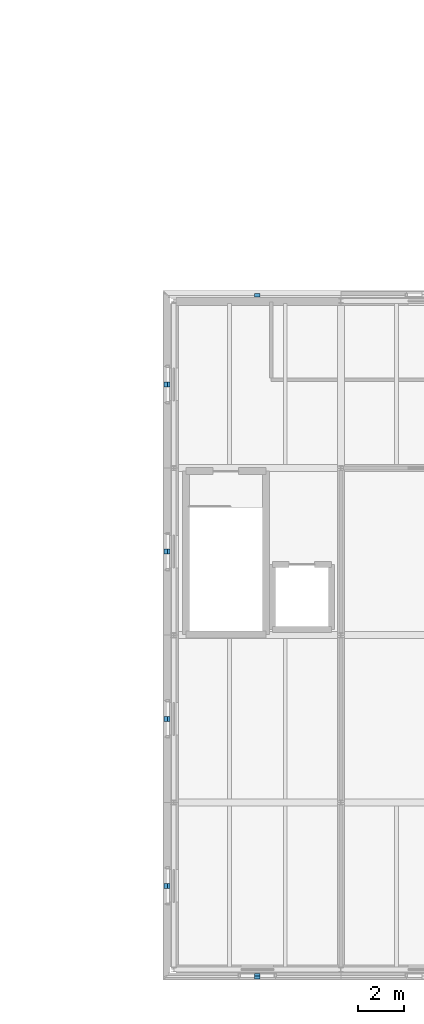
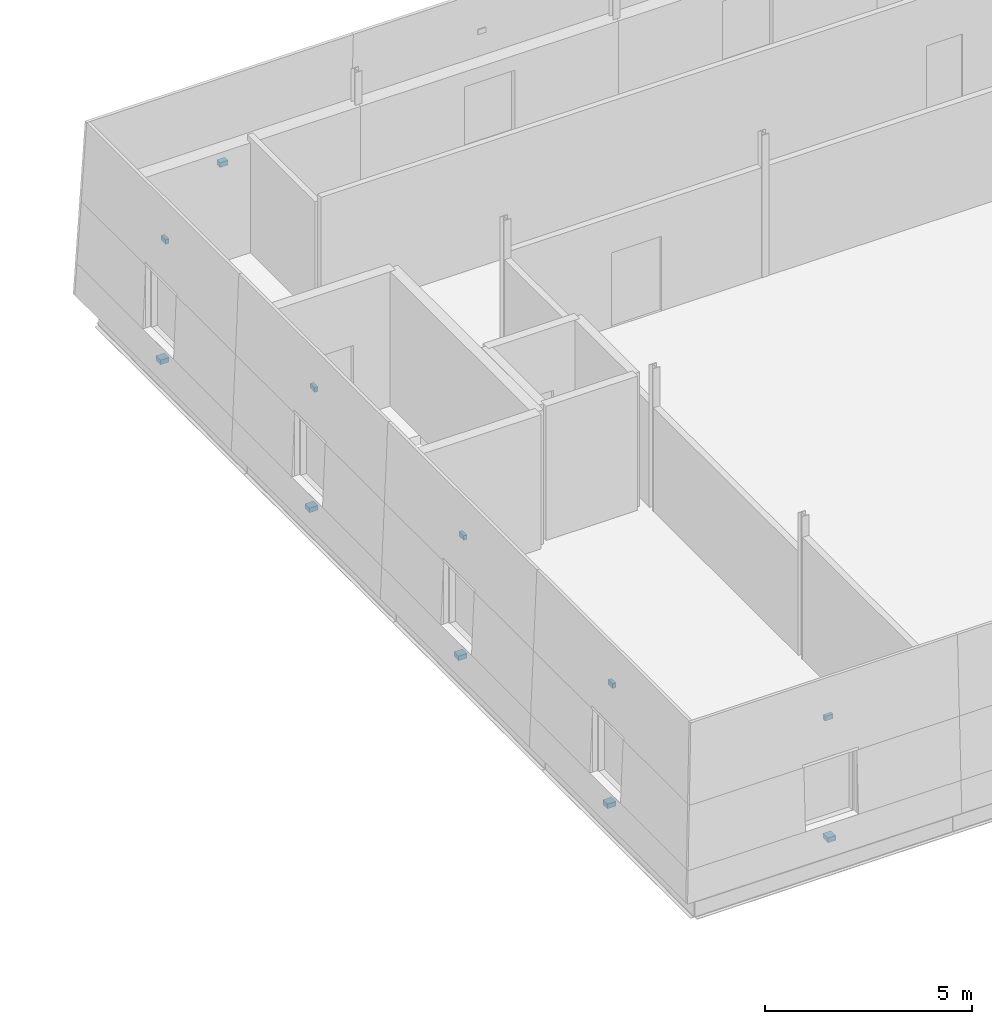
# One storey, part 69 of 91: 11 discrete accessories.
"""IFC4 building model written with IfcOpenShell, lengths in metres."""

import ifcopenshell
import ifcopenshell.guid

model = None  # the IFC model being written
_history = None  # IfcOwnerHistory: only IFC2X3 demands one
_inside = {}  # id of a spatial element -> (the spatial element, [elements in it])
_under = {}  # id of a project, library or spatial element -> (it, [spatial elements below it])
_declared = {}  # id of a project -> (the project, [libraries it declares])
_typed = {}  # id of a type object -> (the type object, [elements of that type])
_made_of = {}  # id of a material, layer set ... -> (it, [elements and type objects made of it])


def new_model(schema):
    """Start an empty IFC model of exactly this schema.

    Asked for "IFC4X3", IfcOpenShell would pick the latest addendum, in which some entities
    have other attributes; the version numbers below select the first issue.
    IFC2X3 requires an IfcOwnerHistory on every rooted entity: one is made here for all.
    """
    global model, _history
    if schema == "IFC4X3":
        model = ifcopenshell.file(schema_version=(4, 3, 0, 0))
    else:
        model = ifcopenshell.file(schema=schema)
    _inside.clear()
    _under.clear()
    _declared.clear()
    _typed.clear()
    _made_of.clear()
    _history = None
    if model.schema == "IFC2X3":
        org = make("IfcOrganization", Name="unknown")
        user = make(
            "IfcPersonAndOrganization",
            ThePerson=make("IfcPerson", FamilyName="unknown"),
            TheOrganization=org,
        )
        app = make(
            "IfcApplication",
            ApplicationDeveloper=org,
            Version="unknown",
            ApplicationFullName="unknown",
            ApplicationIdentifier="unknown",
        )
        _history = make(
            "IfcOwnerHistory",
            OwningUser=user,
            OwningApplication=app,
            ChangeAction="ADDED",
            CreationDate=0,
        )
    return model


def make(cls, **values):
    """One entity of the class cls with the attributes given. An attribute that is None is left unset."""
    return model.create_entity(
        cls, **{name: value for name, value in values.items() if value is not None}
    )


def rooted(cls, **values):
    """An entity with a GlobalId (a new one), such as an element, a storey or a relation."""
    return make(cls, GlobalId=ifcopenshell.guid.new(), OwnerHistory=_history, **values)


def si_unit(unit_type, name, prefix=None):
    """IfcSIUnit, for example si_unit("LENGTHUNIT", "METRE", prefix="MILLI")."""
    return make("IfcSIUnit", UnitType=unit_type, Prefix=prefix, Name=name)


def assignment(units):
    """IfcUnitAssignment: the units of a project."""
    return None if units is None else make("IfcUnitAssignment", Units=units)


def point(xyz):
    """IfcCartesianPoint."""
    return None if xyz is None else make("IfcCartesianPoint", Coordinates=xyz)


def direction(xyz):
    """IfcDirection."""
    return None if xyz is None else make("IfcDirection", DirectionRatios=xyz)


def frame(location, z_axis=None, x_axis=None):
    """IfcAxis2Placement3D, a coordinate frame: its origin and axes. An axis left out is left unset."""
    return make(
        "IfcAxis2Placement3D",
        Location=point(location),
        Axis=direction(z_axis),
        RefDirection=direction(x_axis),
    )


def frame_2d(location, x_axis=None):
    """IfcAxis2Placement2D, a coordinate frame in the plane: its origin and x axis."""
    return make(
        "IfcAxis2Placement2D", Location=point(location), RefDirection=direction(x_axis)
    )


def origin():
    """The frame at (0, 0, 0) with its axes left unset."""
    return frame((0.0, 0.0, 0.0))


def origin_2d():
    """The frame at (0, 0) in the plane with its x axis left unset."""
    return frame_2d((0.0, 0.0))


def place(relative_to, where):
    """IfcLocalPlacement: puts the frame where relative to a parent placement (None: the world)."""
    return make(
        "IfcLocalPlacement", PlacementRelTo=relative_to, RelativePlacement=where
    )


def context(
    kind, dimensions, precision=None, world=None, true_north=None, identifier=None
):
    """IfcGeometricRepresentationContext, for example the 3D "Model" context."""
    return make(
        "IfcGeometricRepresentationContext",
        ContextIdentifier=identifier,
        ContextType=kind,
        CoordinateSpaceDimension=dimensions,
        Precision=precision,
        WorldCoordinateSystem=world,
        TrueNorth=true_north,
    )


def subcontext(parent, identifier, kind, view, scale=None):
    """IfcGeometricRepresentationSubContext, for example "Body" below "Model"."""
    return make(
        "IfcGeometricRepresentationSubContext",
        ContextIdentifier=identifier,
        ContextType=kind,
        ParentContext=parent,
        TargetScale=scale,
        TargetView=view,
    )


def project(units=None, contexts=None):
    """IfcProject with its units and contexts."""
    return rooted(
        "IfcProject",
        Name="project",
        RepresentationContexts=contexts,
        UnitsInContext=assignment(units),
    )


def spatial(cls, under=None, at=None, **own):
    """A site, building, storey or space (cls), placed at a placement, below another one or the project."""
    s = rooted(cls, ObjectPlacement=at, **own)
    if under is not None:
        _under.setdefault(under.id(), (under, []))[1].append(s)
    return s


def profile(cls, at=None, kind="AREA", **sizes):
    """A parametric profile (cls). Its sizes go by their IFC names, for example OverallWidth=200.0."""
    return make(cls, ProfileType=kind, Position=at, **sizes)


def rectangle(**sizes):
    """IfcRectangleProfileDef."""
    return profile("IfcRectangleProfileDef", **sizes)


def extrude(swept, where, along, depth):
    """IfcExtrudedAreaSolid: the profile swept, set in the frame where, extruded along a direction by depth."""
    return make(
        "IfcExtrudedAreaSolid",
        SweptArea=swept,
        Position=where,
        ExtrudedDirection=direction(along),
        Depth=depth,
    )


def shape(context_of_items, identifier, shape_type, items):
    """IfcShapeRepresentation: the items that make up one representation, for example the "Body"."""
    return make(
        "IfcShapeRepresentation",
        ContextOfItems=context_of_items,
        RepresentationIdentifier=identifier,
        RepresentationType=shape_type,
        Items=items,
    )


def material(Name=None, Category=None):
    """IfcMaterial."""
    return make("IfcMaterial", Name=Name, Category=Category)


def layer(
    of_material, thickness, ventilated=None, Name=None, Category=None, Priority=None
):
    """IfcMaterialLayer: one layer of a wall or slab, of a material (None: an air gap)."""
    return make(
        "IfcMaterialLayer",
        Material=of_material,
        LayerThickness=thickness,
        IsVentilated=ventilated,
        Name=Name,
        Category=Category,
        Priority=Priority,
    )


def layer_set(layers, Name=None):
    """IfcMaterialLayerSet."""
    return make("IfcMaterialLayerSet", MaterialLayers=layers, LayerSetName=Name)


def made_of(thing, what):
    """Note that an element or type object is made of a material, layer set ...; save() writes the relation."""
    if what is not None:
        _made_of.setdefault(what.id(), (what, []))[1].append(thing)
    return thing


def type_object(cls, material=None, **own):
    """A type object (cls), such as IfcWallType, which elements share."""
    return made_of(rooted(cls, **own), material)


def element(
    cls,
    number,
    at=None,
    inside=None,
    cuts=None,
    type_object=None,
    material=None,
    context=None,
    identifier="Body",
    shape_type=None,
    held_by="IfcProductDefinitionShape",
    body=None,
    shapes=None,
    **own,
):
    """One element of the class cls, such as IfcWall. Its Tag is "e" and its number.

    at: its placement. inside: the storey or other place that contains it. cuts: it is an
    opening in that element (IfcRelVoidsElement). A single representation is given by context,
    identifier, shape_type and body (its items); several are given by shapes. held_by: the class
    of the entity that holds the representations. save() writes the other relations.
    """
    e = rooted(cls, Tag="e%d" % number, ObjectPlacement=at, **own)
    if body is not None:
        shapes = [shape(context, identifier, shape_type, body)]
    if shapes is not None:
        e.Representation = make(held_by, Representations=shapes)
    if inside is not None:
        _inside.setdefault(inside.id(), (inside, []))[1].append(e)
    if cuts is not None:
        rooted(
            "IfcRelVoidsElement", RelatingBuildingElement=cuts, RelatedOpeningElement=e
        )
    if type_object is not None:
        _typed.setdefault(type_object.id(), (type_object, []))[1].append(e)
    return made_of(e, material)


def aggregate(whole, parts):
    """IfcRelAggregates: a whole, such as a stair, and the parts it consists of."""
    return rooted("IfcRelAggregates", RelatingObject=whole, RelatedObjects=parts)


def save(model, path):
    """Write the relations noted so far, then the file.

    IfcRelAggregates (storeys below a building ...), IfcRelContainedInSpatialStructure (elements
    in a storey), IfcRelDefinesByType, IfcRelAssociatesMaterial and IfcRelDeclares: one each for
    every whole, place, type object, material and project.
    """
    for whole, parts in _under.values():
        aggregate(whole, parts)
    for where, things in _inside.values():
        rooted(
            "IfcRelContainedInSpatialStructure",
            RelatedElements=things,
            RelatingStructure=where,
        )
    for kind, things in _typed.values():
        rooted("IfcRelDefinesByType", RelatedObjects=things, RelatingType=kind)
    for what, things in _made_of.values():
        rooted("IfcRelAssociatesMaterial", RelatedObjects=things, RelatingMaterial=what)
    for by, libraries in _declared.values():
        rooted("IfcRelDeclares", RelatingContext=by, RelatedDefinitions=libraries)
    model.write(path)


model = new_model("IFC4")

# Units and contexts
model_context = context("Model", 3, precision=1e-05, world=origin(), true_north=direction((0.0, 1.0)))
body_context = subcontext(model_context, "Body", "Model", "MODEL_VIEW")
ifc_project = project(units=[si_unit("LENGTHUNIT", "METRE"), si_unit("AREAUNIT", "SQUARE_METRE"), si_unit("VOLUMEUNIT", "CUBIC_METRE"), si_unit("PLANEANGLEUNIT", "RADIAN"), si_unit("MASSUNIT", "GRAM", prefix="KILO")], contexts=[model_context])

# Site, building, storey
site_placement = place(None, origin())
site = spatial("IfcSite", under=ifc_project, at=site_placement, CompositionType="ELEMENT")
building_placement = place(site_placement, origin())
building = spatial("IfcBuilding", under=site, at=building_placement, Name="Narikvali Park Central Library", CompositionType="ELEMENT")
storey_placement = place(building_placement, frame((0.0, 0.0, 14.39990234375)))
storey = spatial("IfcBuildingStorey", under=building, at=storey_placement, Name="L03", CompositionType="ELEMENT", Elevation=14.39990234375)

# Discrete accessories
ifc_material = material(Name="Brushed Stainless Steel S355", Category="steel")
ifc_layer = layer(ifc_material, 0.139892578125, Name="Brushed Stainless Steel S355")
ifc_layer_set = layer_set([ifc_layer], Name="Brushed Stainless Steel S355")
discrete_accessory_type = type_object("IfcDiscreteAccessoryType", Name="Cladding Stainless Tie-Back Corbel Bracket", PredefinedType="BRACKET", material=ifc_layer_set)
discrete_accessory_1_placement = place(storey_placement, frame((126.0, -0.290771484375, 0.4052734375), z_axis=(0.0, 0.0, 1.0), x_axis=(1.0, 0.0, 0.0)))
element("IfcDiscreteAccessory", 1, at=discrete_accessory_1_placement, inside=storey, type_object=discrete_accessory_type, Name="Limestone Cladding Tie-Back Bracket V6-CLD-L03-S-B01-SP", PredefinedType="BRACKET", context=body_context, shape_type="SweptSolid", body=[
    extrude(rectangle(XDim=0.219970703125, YDim=0.2412109375, at=origin_2d()), origin(), (0.0, 0.0, 1.0), 0.139892578125),
])
discrete_accessory_2_placement = place(storey_placement, frame((126.0, -0.218994140625, 3.9052734375), z_axis=(0.0, 0.0, 1.0), x_axis=(1.0, 0.0, 0.0)))
element("IfcDiscreteAccessory", 2, at=discrete_accessory_2_placement, inside=storey, type_object=discrete_accessory_type, Name="Limestone Cladding Tie-Back Bracket V6-CLD-L03-S-B01-LN", PredefinedType="BRACKET", context=body_context, shape_type="SweptSolid", body=[
    extrude(rectangle(XDim=0.219970703125, YDim=0.09814453125, at=origin_2d()), origin(), (0.0, 0.0, 1.0), 0.139892578125),
])
discrete_accessory_3_placement = place(storey_placement, frame((126.0, 29.047607421875, 2.50537109375), z_axis=(0.0, 0.0, 1.0), x_axis=(1.0, 0.0, 0.0)))
element("IfcDiscreteAccessory", 3, at=discrete_accessory_3_placement, inside=storey, type_object=discrete_accessory_type, Name="Limestone Cladding Tie-Back Bracket V6-CLD-L03-N-B06-FULL", PredefinedType="BRACKET", context=body_context, shape_type="SweptSolid", body=[
    extrude(rectangle(XDim=0.219970703125, YDim=0.1552734375, at=origin_2d()), origin(), (0.0, 0.0, 1.0), 0.139892578125),
])
discrete_accessory_4_placement = place(storey_placement, frame((122.109375, 25.199951171875, 0.4052734375), z_axis=(0.0, 0.0, 1.0), x_axis=(1.0, 0.0, 0.0)))
element("IfcDiscreteAccessory", 4, at=discrete_accessory_4_placement, inside=storey, type_object=discrete_accessory_type, Name="Limestone Cladding Tie-Back Bracket V6-CLD-L03-W-B01-SP", PredefinedType="BRACKET", context=body_context, shape_type="SweptSolid", body=[
    extrude(rectangle(XDim=0.2412109375, YDim=0.219970703125, at=origin_2d()), origin(), (0.0, 0.0, 1.0), 0.139892578125),
])
discrete_accessory_5_placement = place(storey_placement, frame((122.180908203125, 25.199951171875, 3.9052734375), z_axis=(0.0, 0.0, 1.0), x_axis=(1.0, 0.0, 0.0)))
element("IfcDiscreteAccessory", 5, at=discrete_accessory_5_placement, inside=storey, type_object=discrete_accessory_type, Name="Limestone Cladding Tie-Back Bracket V6-CLD-L03-W-B01-LN", PredefinedType="BRACKET", context=body_context, shape_type="SweptSolid", body=[
    extrude(rectangle(XDim=0.09814453125, YDim=0.219970703125, at=origin_2d()), origin(), (0.0, 0.0, 1.0), 0.139892578125),
])
discrete_accessory_6_placement = place(storey_placement, frame((122.109375, 18.0, 0.4052734375), z_axis=(0.0, 0.0, 1.0), x_axis=(1.0, 0.0, 0.0)))
element("IfcDiscreteAccessory", 6, at=discrete_accessory_6_placement, inside=storey, type_object=discrete_accessory_type, Name="Limestone Cladding Tie-Back Bracket V6-CLD-L03-W-B02-SP", PredefinedType="BRACKET", context=body_context, shape_type="SweptSolid", body=[
    extrude(rectangle(XDim=0.2412109375, YDim=0.219970703125, at=origin_2d()), origin(), (0.0, 0.0, 1.0), 0.139892578125),
])
discrete_accessory_7_placement = place(storey_placement, frame((122.180908203125, 18.0, 3.9052734375), z_axis=(0.0, 0.0, 1.0), x_axis=(1.0, 0.0, 0.0)))
element("IfcDiscreteAccessory", 7, at=discrete_accessory_7_placement, inside=storey, type_object=discrete_accessory_type, Name="Limestone Cladding Tie-Back Bracket V6-CLD-L03-W-B02-LN", PredefinedType="BRACKET", context=body_context, shape_type="SweptSolid", body=[
    extrude(rectangle(XDim=0.09814453125, YDim=0.219970703125, at=origin_2d()), origin(), (0.0, 0.0, 1.0), 0.139892578125),
])
discrete_accessory_8_placement = place(storey_placement, frame((122.109375, 10.800048828125, 0.4052734375), z_axis=(0.0, 0.0, 1.0), x_axis=(1.0, 0.0, 0.0)))
element("IfcDiscreteAccessory", 8, at=discrete_accessory_8_placement, inside=storey, type_object=discrete_accessory_type, Name="Limestone Cladding Tie-Back Bracket V6-CLD-L03-W-B03-SP", PredefinedType="BRACKET", context=body_context, shape_type="SweptSolid", body=[
    extrude(rectangle(XDim=0.2412109375, YDim=0.219970703125, at=origin_2d()), origin(), (0.0, 0.0, 1.0), 0.139892578125),
])
discrete_accessory_9_placement = place(storey_placement, frame((122.180908203125, 10.800048828125, 3.9052734375), z_axis=(0.0, 0.0, 1.0), x_axis=(1.0, 0.0, 0.0)))
element("IfcDiscreteAccessory", 9, at=discrete_accessory_9_placement, inside=storey, type_object=discrete_accessory_type, Name="Limestone Cladding Tie-Back Bracket V6-CLD-L03-W-B03-LN", PredefinedType="BRACKET", context=body_context, shape_type="SweptSolid", body=[
    extrude(rectangle(XDim=0.09814453125, YDim=0.219970703125, at=origin_2d()), origin(), (0.0, 0.0, 1.0), 0.139892578125),
])
discrete_accessory_10_placement = place(storey_placement, frame((122.109375, 3.60009765625, 0.4052734375), z_axis=(0.0, 0.0, 1.0), x_axis=(1.0, 0.0, 0.0)))
element("IfcDiscreteAccessory", 10, at=discrete_accessory_10_placement, inside=storey, type_object=discrete_accessory_type, Name="Limestone Cladding Tie-Back Bracket V6-CLD-L03-W-B04-SP", PredefinedType="BRACKET", context=body_context, shape_type="SweptSolid", body=[
    extrude(rectangle(XDim=0.2412109375, YDim=0.219970703125, at=origin_2d()), origin(), (0.0, 0.0, 1.0), 0.139892578125),
])
discrete_accessory_11_placement = place(storey_placement, frame((122.180908203125, 3.60009765625, 3.9052734375), z_axis=(0.0, 0.0, 1.0), x_axis=(1.0, 0.0, 0.0)))
element("IfcDiscreteAccessory", 11, at=discrete_accessory_11_placement, inside=storey, type_object=discrete_accessory_type, Name="Limestone Cladding Tie-Back Bracket V6-CLD-L03-W-B04-LN", PredefinedType="BRACKET", context=body_context, shape_type="SweptSolid", body=[
    extrude(rectangle(XDim=0.09814453125, YDim=0.219970703125, at=origin_2d()), origin(), (0.0, 0.0, 1.0), 0.139892578125),
])

save(model, "model.ifc")
